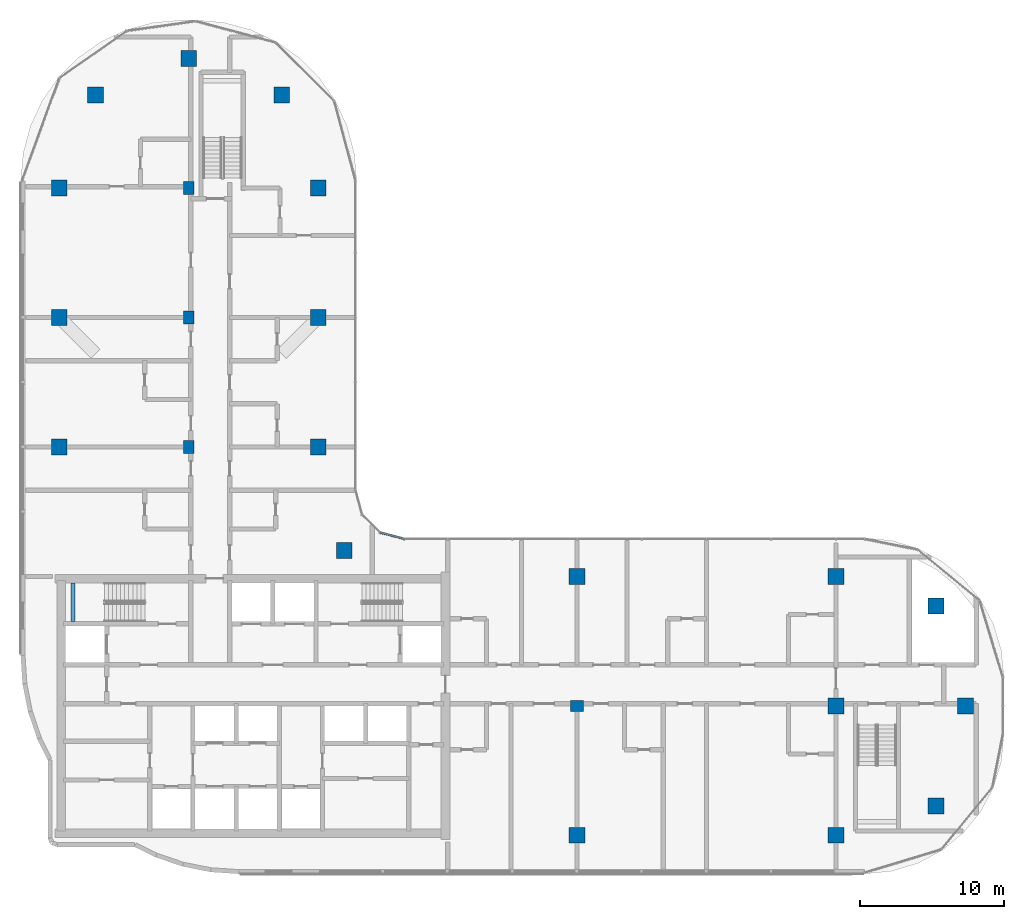
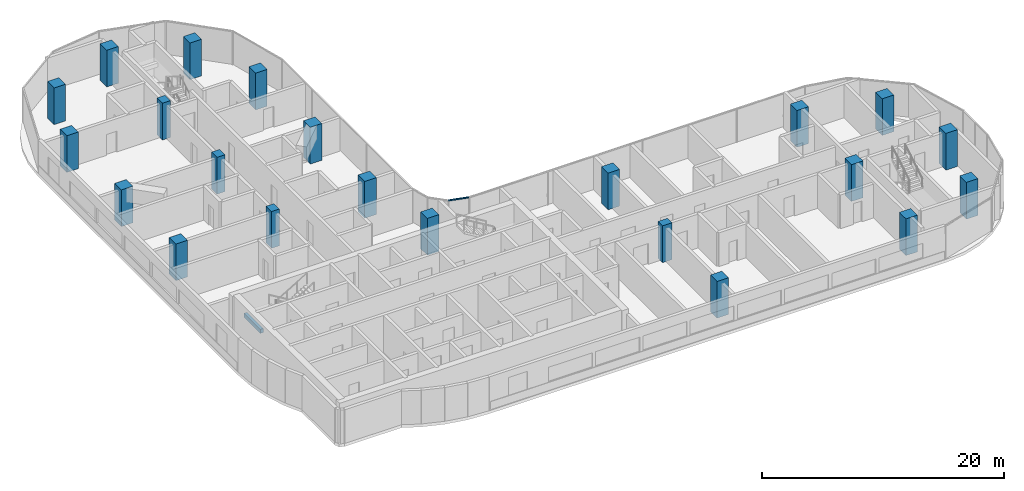
# One storey, part 1 of 23: 22 columns, 1 beam, 1 member, 1 element without a shape of its own.
"""IFC4 building model written with IfcOpenShell, lengths in metres."""

from ifc_helpers import new_model, si_unit, direction, frame, origin, origin_2d, place, context, subcontext, project, spatial, rectangle, extrude, material, material_profile, profile_set, type_object, element, aggregate, save


model = new_model("IFC4")

# Units and contexts
model_context = context("Model", 3, precision=1e-05, world=origin(), true_north=direction((0.0, 1.0)))
body_context = subcontext(model_context, "Body", "Model", "MODEL_VIEW")
ifc_project = project(units=[si_unit("LENGTHUNIT", "METRE"), si_unit("AREAUNIT", "SQUARE_METRE"), si_unit("VOLUMEUNIT", "CUBIC_METRE"), si_unit("PLANEANGLEUNIT", "RADIAN"), si_unit("MASSUNIT", "GRAM", prefix="KILO")], contexts=[model_context])

# Site, building, storey
site_placement = place(None, origin())
site = spatial("IfcSite", under=ifc_project, at=site_placement, CompositionType="ELEMENT")
building_placement = place(site_placement, origin())
building = spatial("IfcBuilding", under=site, at=building_placement, Name="Ogive Portal Towers", CompositionType="ELEMENT")
storey_placement = place(building_placement, frame((0.0, 0.0, 186.60009765625)))
storey = spatial("IfcBuildingStorey", under=building, at=storey_placement, Name="L46", CompositionType="ELEMENT", Elevation=186.60009765625)

# Columns
ifc_material_1 = material(Name="Concrete C60/75", Category="concrete")
ifc_material_profile_1 = material_profile(ifc_material_1, rectangle(XDim=1.10009765625, YDim=1.10009765625, at=origin_2d()), Name="RC 1100x1100")
ifc_profile_set_1 = profile_set([ifc_material_profile_1], Name="Concrete C60/75")
column_type_1 = type_object("IfcColumnType", Name="COLUMN RC 1100x1100", PredefinedType="COLUMN", material=ifc_profile_set_1)
for number, where, z_axis, x_axis, name in (
    (1, (67.5, 21.5, 0.0), (0.0, 0.0, 1.0), (1.0, 0.0, 0.0), "Column 5/A L46"),
    (2, (85.5, 21.5, 0.0), (0.0, 0.0, 1.0), (1.0, 0.0, 0.0), "Column 7/A L46"),
    (3, (92.449951171875, 23.550048828125, 0.0), (0.0, 0.0, 1.0), (1.0, 0.0, 0.0), "Column L46"),
    (4, (85.5, 30.5, 0.0), (0.0, 0.0, 1.0), (1.0, 0.0, 0.0), "Column 7/B L46"),
    (5, (94.5, 30.5, 0.0), (0.0, 0.0, 1.0), (1.0, 0.0, 0.0), "Column 8/B L46"),
    (6, (92.449951171875, 37.449951171875, 0.0), (0.0, 0.0, 1.0), (1.0, 0.0, 0.0), "Column L46"),
    (7, (67.5, 39.5, 0.0), (0.0, 0.0, 1.0), (1.0, 0.0, 0.0), "Column 5/C L46"),
    (8, (85.5, 39.5, 0.0), (0.0, 0.0, 1.0), (1.0, 0.0, 0.0), "Column 7/C L46"),
    (9, (51.31005859375, 41.31005859375, 0.0), (0.0, 0.0, 1.0), (1.0, 0.0, 0.0), "Column L46"),
    (10, (31.5, 48.5, 0.0), (0.0, 0.0, 1.0), (1.0, 0.0, 0.0), "Column 1/D L46"),
    (11, (49.5, 48.5, 0.0), (0.0, 0.0, 1.0), (1.0, 0.0, 0.0), "Column 3/D L46"),
    (12, (31.5, 57.5, 0.0), (0.0, 0.0, 1.0), (1.0, 0.0, 0.0), "Column 1/E L46"),
    (13, (49.5, 57.5, 0.0), (0.0, 0.0, 1.0), (1.0, 0.0, 0.0), "Column 3/E L46"),
    (14, (31.5, 66.5, 0.0), (0.0, 0.0, 1.0), (1.0, 0.0, 0.0), "Column 1/F L46"),
    (15, (49.5, 66.5, 0.0), (0.0, 0.0, 1.0), (1.0, 0.0, 0.0), "Column 3/F L46"),
    (16, (34.027099609375, 72.972900390625, 0.0), (0.0, 0.0, 1.0), (1.0, 0.0, 0.0), "Column L46"),
    (17, (46.972900390625, 72.972900390625, 0.0), (0.0, 0.0, 1.0), (1.0, 0.0, 0.0), "Column L46"),
    (18, (40.5, 75.5, 0.0), (0.0, 0.0, 1.0), (1.0, 0.0, 0.0), "Column 2/G L46"),
):
    element("IfcColumn", number, at=place(storey_placement, frame(where, z_axis=z_axis, x_axis=x_axis)), inside=storey, type_object=column_type_1, Name=name, PredefinedType="COLUMN", context=body_context, shape_type="SweptSolid", body=[
        extrude(rectangle(XDim=1.10009765625, YDim=1.10009765625, at=origin_2d()), origin(), (0.0, 0.0, 1.0), 3.699951171875),
    ])
ifc_material_profile_2 = material_profile(ifc_material_1, rectangle(XDim=0.89990234375, YDim=0.75, at=origin_2d()), Name="RC 900x750")
ifc_profile_set_2 = profile_set([ifc_material_profile_2], Name="Concrete C60/75")
column_type_2 = type_object("IfcColumnType", Name="COLUMN RC 900x750", PredefinedType="COLUMN", material=ifc_profile_set_2)
for number, where, z_axis, x_axis, name in (
    (19, (67.5, 30.5, 0.0), (0.0, 0.0, 1.0), (1.0, 0.0, 0.0), "Column 5/B L46"),
    (20, (40.5, 48.5, 0.0), (0.0, 0.0, 1.0), (0.0, 1.0, 0.0), "Column 2/D L46"),
    (21, (40.5, 57.5, 0.0), (0.0, 0.0, 1.0), (0.0, 1.0, 0.0), "Column 2/E L46"),
    (22, (40.5, 66.5, 0.0), (0.0, 0.0, 1.0), (0.0, 1.0, 0.0), "Column 2/F L46"),
):
    element("IfcColumn", number, at=place(storey_placement, frame(where, z_axis=z_axis, x_axis=x_axis)), inside=storey, type_object=column_type_2, Name=name, PredefinedType="COLUMN", context=body_context, shape_type="SweptSolid", body=[
        extrude(rectangle(XDim=0.89990234375, YDim=0.75, at=origin_2d()), origin(), (0.0, 0.0, 1.0), 3.699951171875),
    ])

# Beam
ifc_material_2 = material(Name="Concrete C40/50", Category="concrete")
ifc_material_profile_3 = material_profile(ifc_material_2, rectangle(XDim=0.300048828125, YDim=0.39990234375, at=origin_2d()), Name="RC 300x400")
ifc_profile_set_3 = profile_set([ifc_material_profile_3], Name="Concrete C40/50")
beam_type = type_object("IfcBeamType", Name="BEAM RC 300x400", PredefinedType="BEAM", material=ifc_profile_set_3)
beam_placement = place(storey_placement, frame((32.449951171875, 36.35009765625, 1.449951171875), z_axis=(0.0, 1.0, 0.0), x_axis=(-1.0, 0.0, 0.0)))
element("IfcBeam", 23, at=beam_placement, inside=storey, type_object=beam_type, Name="Landing beam L46", PredefinedType="BEAM", context=body_context, shape_type="SweptSolid", body=[
    extrude(rectangle(XDim=0.300048828125, YDim=0.39990234375, at=origin_2d()), origin(), (0.0, 0.0, 1.0), 2.699951171875),
])

# Curtain wall, member
ifc_material_3 = material(Name="Glass, clear low-iron insulated glazing", Category="glass")
curtain_wall_type = type_object("IfcCurtainWallType", Name="CW FRONT RIBBON 4500", PredefinedType="NOTDEFINED", material=ifc_material_3)
curtain_wall_placement = place(storey_placement, origin())
curtain_wall = element("IfcCurtainWall", 24, at=curtain_wall_placement, inside=storey, type_object=curtain_wall_type, Name="A:L46:f17:cwa", PredefinedType="NOTDEFINED")
ifc_material_4 = material(Name="Aluminium 6063 anodised", Category="aluminium")
ifc_material_profile_4 = material_profile(ifc_material_4, rectangle(XDim=0.1201171875, YDim=0.06005859375, at=origin_2d()), Name="AL 120x60")
ifc_profile_set_4 = profile_set([ifc_material_profile_4], Name="Aluminium 6063 anodised")
member_type = type_object("IfcMemberType", Name="CW TRANSOM 60x120", PredefinedType="USERDEFINED", material=ifc_profile_set_4)
member_placement = place(storey_placement, frame((55.489501953125, 42.10009765625, 3.369873046875), z_axis=(-0.965954275614, 0.258712847425, 0.0), x_axis=(-0.258712847425, -0.965954275614, 0.0)))
member = element("IfcMember", 25, at=member_placement, type_object=member_type, Name="transom", ObjectType="TRANSOM", PredefinedType="USERDEFINED", context=body_context, shape_type="SweptSolid", body=[
    extrude(rectangle(XDim=0.1201171875, YDim=0.06005859375, at=origin_2d()), origin(), (0.0, 0.0, 1.0), 1.75048828125),
])
aggregate(curtain_wall, [member])

save(model, "model.ifc")
